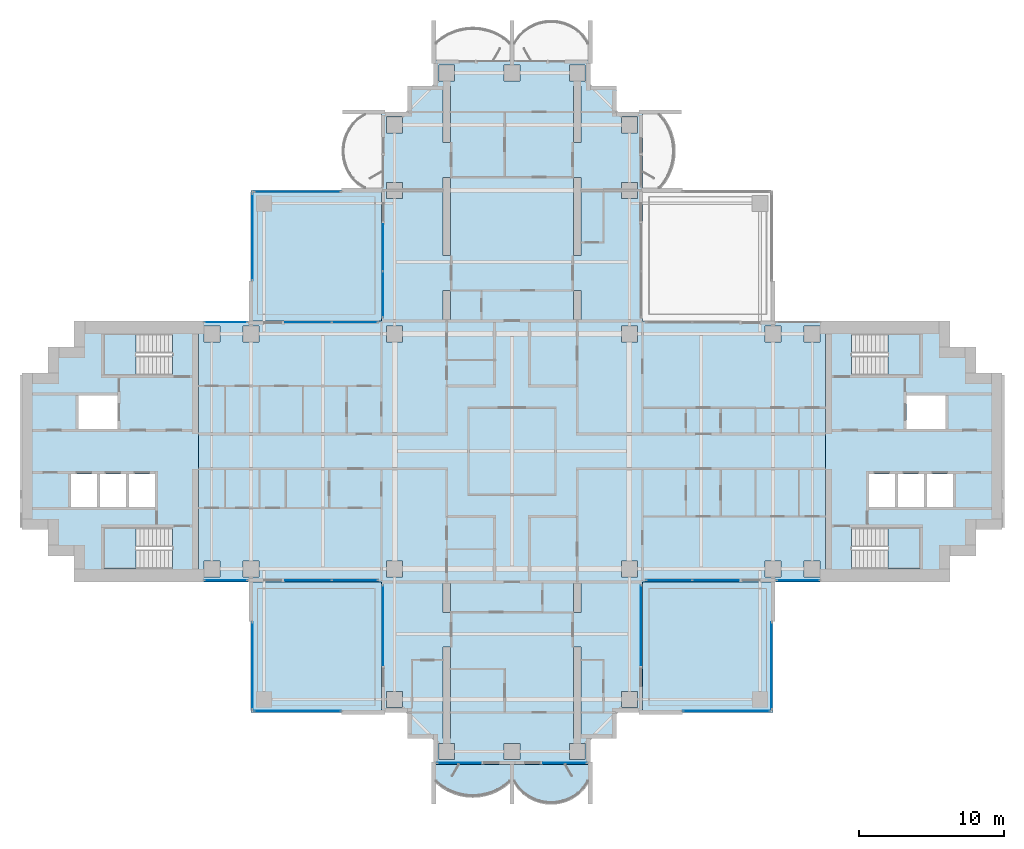
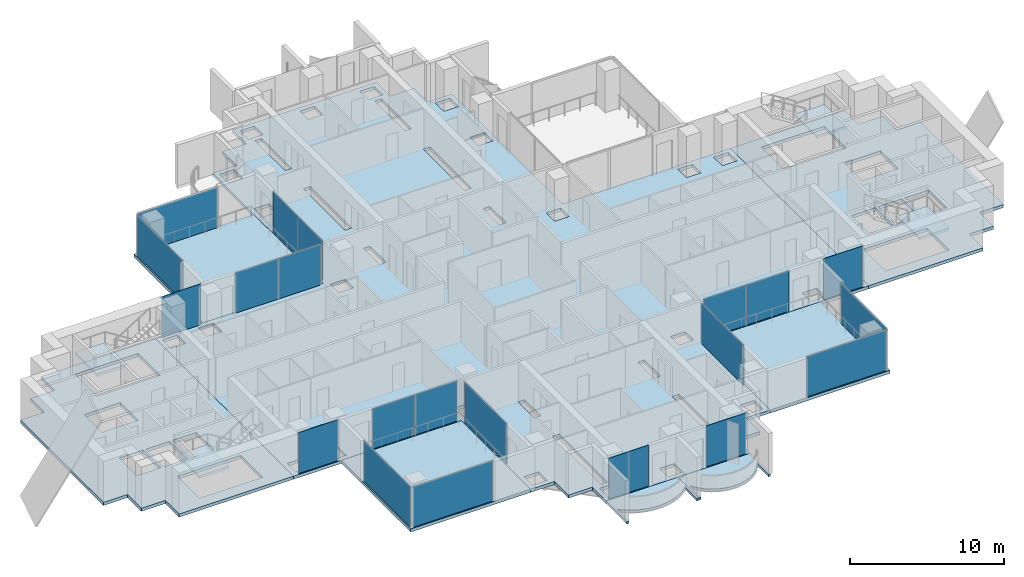
# One storey, part 7 of 18: 21 plates, 12 slabs, 21 elements without a shape of their own.
"""IFC4 building model written with IfcOpenShell, lengths in metres."""

from ifc_helpers import new_model, si_unit, direction, frame, origin, origin_2d, place, context, subcontext, project, spatial, polyline, rectangle, outline, extrude, material, layer, layer_set, type_object, element, aggregate, save


model = new_model("IFC4")

# Units and contexts
model_context = context("Model", 3, precision=1e-05, world=origin(), true_north=direction((0.0, 1.0)))
body_context = subcontext(model_context, "Body", "Model", "MODEL_VIEW")
ifc_project = project(units=[si_unit("LENGTHUNIT", "METRE"), si_unit("AREAUNIT", "SQUARE_METRE"), si_unit("VOLUMEUNIT", "CUBIC_METRE"), si_unit("PLANEANGLEUNIT", "RADIAN"), si_unit("MASSUNIT", "GRAM", prefix="KILO")], contexts=[model_context])

# Site, building, storey
site_placement = place(None, origin())
site = spatial("IfcSite", under=ifc_project, at=site_placement, CompositionType="ELEMENT")
building_placement = place(site_placement, origin())
building = spatial("IfcBuilding", under=site, at=building_placement, Name="Perihelion Cross Residences", CompositionType="ELEMENT")
storey_placement = place(building_placement, frame((0.0, 0.0, 133.89990234375)))
storey = spatial("IfcBuildingStorey", under=building, at=storey_placement, Name="L32", CompositionType="ELEMENT", Elevation=133.89990234375)

# Slabs
ifc_material_1 = material(Name="Concrete C40/50", Category="concrete")
ifc_layer_1 = layer(ifc_material_1, 0.199951171875)
ifc_layer_set_1 = layer_set([ifc_layer_1], Name="Balcony slab 200")
slab_type_1 = type_object("IfcSlabType", Name="Balcony slab 200", PredefinedType="FLOOR", material=ifc_layer_set_1)
slab_1_placement = place(storey_placement, frame((0.0, 0.0, -0.199951171875)))
element("IfcSlab", 1, at=slab_1_placement, inside=storey, type_object=slab_type_1, Name="Slab BK1 L32 south tip south bay 1 balcony", PredefinedType="FLOOR", context=body_context, shape_type="SweptSolid", body=[
    extrude(outline(polyline([(-5.39990234375, -21.60009765625), (0.0, -21.60009765625), (0.0, -24.300048828125), (-0.14990234375, -24.300048828125), (-0.14990234375, -22.800048828125), (-0.574951171875, -23.14013671875), (-1.0, -23.392578125), (-1.425048828125, -23.57666015625), (-1.85009765625, -23.702392578125), (-2.27490234375, -23.77587890625), (-2.699951171875, -23.800048828125), (-3.125, -23.77587890625), (-3.550048828125, -23.702392578125), (-3.97509765625, -23.57666015625), (-4.39990234375, -23.392578125), (-4.824951171875, -23.14013671875), (-5.25, -22.800048828125), (-5.25, -24.300048828125), (-5.39990234375, -24.300048828125), (-5.39990234375, -21.60009765625)])), origin(), (0.0, 0.0, 1.0), 0.199951171875),
])
slab_2_placement = place(storey_placement, frame((0.0, 0.0, -0.199951171875)))
element("IfcSlab", 2, at=slab_2_placement, inside=storey, type_object=slab_type_1, Name="Slab BK1 L32 south tip south bay 2 balcony", PredefinedType="FLOOR", context=body_context, shape_type="SweptSolid", body=[
    extrude(outline(polyline([(0.0, -21.60009765625), (5.39990234375, -21.60009765625), (5.39990234375, -24.300048828125), (5.25, -24.300048828125), (5.25, -22.800048828125), (4.909912109375, -23.27685546875), (4.570068359375, -23.60693359375), (4.22998046875, -23.84912109375), (3.889892578125, -24.027099609375), (3.550048828125, -24.1533203125), (3.2099609375, -24.234375), (2.8701171875, -24.274169921875), (2.530029296875, -24.274169921875), (2.18994140625, -24.234375), (1.85009765625, -24.1533203125), (1.510009765625, -24.027099609375), (1.169921875, -23.84912109375), (0.830078125, -23.60693359375), (0.489990234375, -23.27685546875), (0.14990234375, -22.800048828125), (0.14990234375, -24.300048828125), (0.0, -24.300048828125), (0.0, -21.60009765625)])), origin(), (0.0, 0.0, 1.0), 0.199951171875),
])

# Curtain wall, plates
ifc_material_2 = material(Name="Bronze anodised aluminium, tinted glazing", Category="aluminium")
curtain_wall_type_1 = type_object("IfcCurtainWallType", Name="CW1", PredefinedType="NOTDEFINED", material=ifc_material_2)
curtain_wall_1_placement = place(storey_placement, origin())
curtain_wall_1 = element("IfcCurtainWall", 3, at=curtain_wall_1_placement, inside=storey, type_object=curtain_wall_type_1, Name="Curtain wall CW1 L32 north side west bay 2", PredefinedType="NOTDEFINED")
ifc_material_3 = material(Name="Tinted laminated glass", Category="glass")
ifc_layer_2 = layer(ifc_material_3, 0.028076171875)
ifc_layer_set_2 = layer_set([ifc_layer_2], Name="CW1 panel")
plate_type_1 = type_object("IfcPlateType", Name="CW1 panel", PredefinedType="CURTAIN_PANEL", material=ifc_layer_set_2)
plate_1_placement = place(storey_placement, frame((-8.89990234375, 14.052490234375, 0.000244140625), z_axis=(0.0, 0.0, 1.0), x_axis=(0.0, -1.0, 0.0)))
plate_1 = element("IfcPlate", 4, at=plate_1_placement, type_object=plate_type_1, Name="CW1 panel 1", PredefinedType="CURTAIN_PANEL", context=body_context, shape_type="SweptSolid", body=[
    extrude(rectangle(XDim=3.195068359375, YDim=0.028076171875, at=origin_2d()), origin(), (0.0, 0.0, 1.0), 3.18994140625),
])
plate_2_placement = place(storey_placement, frame((-8.89990234375, 10.827392578125, 0.000244140625), z_axis=(0.0, 0.0, 1.0), x_axis=(0.0, -1.0, 0.0)))
plate_2 = element("IfcPlate", 5, at=plate_2_placement, type_object=plate_type_1, Name="CW1 panel 2", PredefinedType="CURTAIN_PANEL", context=body_context, shape_type="SweptSolid", body=[
    extrude(rectangle(XDim=3.135009765625, YDim=0.028076171875, at=origin_2d()), origin(), (0.0, 0.0, 1.0), 3.18994140625),
])
aggregate(curtain_wall_1, [plate_1, plate_2])

curtain_wall_2_placement = place(storey_placement, origin())
curtain_wall_2 = element("IfcCurtainWall", 6, at=curtain_wall_2_placement, inside=storey, type_object=curtain_wall_type_1, Name="Curtain wall CW1 L32 west side north bay 1", PredefinedType="NOTDEFINED")
plate_3_placement = place(storey_placement, frame((-10.827392578125, 8.89990234375, 0.000244140625), z_axis=(0.0, 0.0, 1.0), x_axis=(-1.0, 0.0, 0.0)))
plate_3 = element("IfcPlate", 7, at=plate_3_placement, type_object=plate_type_1, Name="CW1 panel 1", PredefinedType="CURTAIN_PANEL", context=body_context, shape_type="SweptSolid", body=[
    extrude(rectangle(XDim=3.135009765625, YDim=0.028076171875, at=origin_2d()), origin(), (0.0, 0.0, 1.0), 3.18994140625),
])
plate_4_placement = place(storey_placement, frame((-14.052490234375, 8.89990234375, 0.000244140625), z_axis=(0.0, 0.0, 1.0), x_axis=(-1.0, 0.0, 0.0)))
plate_4 = element("IfcPlate", 8, at=plate_4_placement, type_object=plate_type_1, Name="CW1 panel 2", PredefinedType="CURTAIN_PANEL", context=body_context, shape_type="SweptSolid", body=[
    extrude(rectangle(XDim=3.195068359375, YDim=0.028076171875, at=origin_2d()), origin(), (0.0, 0.0, 1.0), 3.18994140625),
])
aggregate(curtain_wall_2, [plate_3, plate_4])

# Curtain wall, plate
curtain_wall_3_placement = place(storey_placement, origin())
curtain_wall_3 = element("IfcCurtainWall", 9, at=curtain_wall_3_placement, inside=storey, type_object=curtain_wall_type_1, Name="Curtain wall CW1 L32 west side north bay 2", PredefinedType="NOTDEFINED")
plate_5_placement = place(storey_placement, frame((-19.72509765625, 8.89990234375, 0.0), z_axis=(0.0, 0.0, 1.0), x_axis=(-1.0, 0.0, 0.0)))
plate_5 = element("IfcPlate", 10, at=plate_5_placement, type_object=plate_type_1, Name="CW1 panel 1", PredefinedType="CURTAIN_PANEL", context=body_context, shape_type="SweptSolid", body=[
    extrude(rectangle(XDim=2.929931640625, YDim=0.028076171875, at=origin_2d()), origin(), (0.0, 0.0, 1.0), 3.25),
])
aggregate(curtain_wall_3, [plate_5])

curtain_wall_4_placement = place(storey_placement, origin())
curtain_wall_4 = element("IfcCurtainWall", 11, at=curtain_wall_4_placement, inside=storey, type_object=curtain_wall_type_1, Name="Curtain wall CW1 L32 west side south bay 1", PredefinedType="NOTDEFINED")
plate_6_placement = place(storey_placement, frame((-19.72509765625, -8.89990234375, 0.0), z_axis=(0.0, 0.0, 1.0), x_axis=(1.0, 0.0, 0.0)))
plate_6 = element("IfcPlate", 12, at=plate_6_placement, type_object=plate_type_1, Name="CW1 panel 1", PredefinedType="CURTAIN_PANEL", context=body_context, shape_type="SweptSolid", body=[
    extrude(rectangle(XDim=2.929931640625, YDim=0.028076171875, at=origin_2d()), origin(), (0.0, 0.0, 1.0), 3.25),
])
aggregate(curtain_wall_4, [plate_6])

# Curtain wall, plates
curtain_wall_5_placement = place(storey_placement, origin())
curtain_wall_5 = element("IfcCurtainWall", 13, at=curtain_wall_5_placement, inside=storey, type_object=curtain_wall_type_1, Name="Curtain wall CW1 L32 west side south bay 2", PredefinedType="NOTDEFINED")
plate_7_placement = place(storey_placement, frame((-14.052490234375, -8.89990234375, 0.000244140625), z_axis=(0.0, 0.0, 1.0), x_axis=(1.0, 0.0, 0.0)))
plate_7 = element("IfcPlate", 14, at=plate_7_placement, type_object=plate_type_1, Name="CW1 panel 1", PredefinedType="CURTAIN_PANEL", context=body_context, shape_type="SweptSolid", body=[
    extrude(rectangle(XDim=3.195068359375, YDim=0.028076171875, at=origin_2d()), origin(), (0.0, 0.0, 1.0), 3.18994140625),
])
plate_8_placement = place(storey_placement, frame((-10.827392578125, -8.89990234375, 0.000244140625), z_axis=(0.0, 0.0, 1.0), x_axis=(1.0, 0.0, 0.0)))
plate_8 = element("IfcPlate", 15, at=plate_8_placement, type_object=plate_type_1, Name="CW1 panel 2", PredefinedType="CURTAIN_PANEL", context=body_context, shape_type="SweptSolid", body=[
    extrude(rectangle(XDim=3.135009765625, YDim=0.028076171875, at=origin_2d()), origin(), (0.0, 0.0, 1.0), 3.18994140625),
])
aggregate(curtain_wall_5, [plate_7, plate_8])

# Curtain wall, plate
curtain_wall_6_placement = place(storey_placement, origin())
curtain_wall_6 = element("IfcCurtainWall", 16, at=curtain_wall_6_placement, inside=storey, type_object=curtain_wall_type_1, Name="Curtain wall CW1 L32 south side west bay 1", PredefinedType="NOTDEFINED")
plate_9_placement = place(storey_placement, frame((-8.89990234375, -12.0048828125, 0.000244140625), z_axis=(0.0, 0.0, 1.0), x_axis=(0.0, -1.0, 0.0)))
plate_9 = element("IfcPlate", 17, at=plate_9_placement, type_object=plate_type_1, Name="CW1 panel 1", PredefinedType="CURTAIN_PANEL", context=body_context, shape_type="SweptSolid", body=[
    extrude(rectangle(XDim=5.489990234375, YDim=0.028076171875, at=origin_2d()), origin(), (0.0, 0.0, 1.0), 3.18994140625),
])
aggregate(curtain_wall_6, [plate_9])

curtain_wall_7_placement = place(storey_placement, origin())
curtain_wall_7 = element("IfcCurtainWall", 18, at=curtain_wall_7_placement, inside=storey, type_object=curtain_wall_type_1, Name="Curtain wall CW1 L32 south tip south bay 1", PredefinedType="NOTDEFINED")
plate_10_placement = place(storey_placement, frame((-3.64501953125, -21.5, 0.0), z_axis=(0.0, 0.0, 1.0), x_axis=(1.0, 0.0, 0.0)))
plate_10 = element("IfcPlate", 19, at=plate_10_placement, type_object=plate_type_1, Name="CW1 panel 1", PredefinedType="CURTAIN_PANEL", context=body_context, shape_type="SweptSolid", body=[
    extrude(rectangle(XDim=2.989990234375, YDim=0.028076171875, at=origin_2d()), origin(), (0.0, 0.0, 1.0), 3.25),
])
aggregate(curtain_wall_7, [plate_10])

curtain_wall_8_placement = place(storey_placement, origin())
curtain_wall_8 = element("IfcCurtainWall", 20, at=curtain_wall_8_placement, inside=storey, type_object=curtain_wall_type_1, Name="Curtain wall CW1 L32 south tip south bay 2", PredefinedType="NOTDEFINED")
plate_11_placement = place(storey_placement, frame((3.64501953125, -21.5, 0.0), z_axis=(0.0, 0.0, 1.0), x_axis=(1.0, 0.0, 0.0)))
plate_11 = element("IfcPlate", 21, at=plate_11_placement, type_object=plate_type_1, Name="CW1 panel 1", PredefinedType="CURTAIN_PANEL", context=body_context, shape_type="SweptSolid", body=[
    extrude(rectangle(XDim=2.989990234375, YDim=0.028076171875, at=origin_2d()), origin(), (0.0, 0.0, 1.0), 3.25),
])
aggregate(curtain_wall_8, [plate_11])

curtain_wall_9_placement = place(storey_placement, origin())
curtain_wall_9 = element("IfcCurtainWall", 22, at=curtain_wall_9_placement, inside=storey, type_object=curtain_wall_type_1, Name="Curtain wall CW1 L32 south side east bay 1", PredefinedType="NOTDEFINED")
plate_12_placement = place(storey_placement, frame((8.89990234375, -12.0048828125, 0.000244140625), z_axis=(0.0, 0.0, 1.0), x_axis=(0.0, 1.0, 0.0)))
plate_12 = element("IfcPlate", 23, at=plate_12_placement, type_object=plate_type_1, Name="CW1 panel 1", PredefinedType="CURTAIN_PANEL", context=body_context, shape_type="SweptSolid", body=[
    extrude(rectangle(XDim=5.489990234375, YDim=0.028076171875, at=origin_2d()), origin(), (0.0, 0.0, 1.0), 3.18994140625),
])
aggregate(curtain_wall_9, [plate_12])

# Curtain wall, plates
curtain_wall_10_placement = place(storey_placement, origin())
curtain_wall_10 = element("IfcCurtainWall", 24, at=curtain_wall_10_placement, inside=storey, type_object=curtain_wall_type_1, Name="Curtain wall CW1 L32 east side south bay 1", PredefinedType="NOTDEFINED")
plate_13_placement = place(storey_placement, frame((10.827392578125, -8.89990234375, 0.000244140625), z_axis=(0.0, 0.0, 1.0), x_axis=(1.0, 0.0, 0.0)))
plate_13 = element("IfcPlate", 25, at=plate_13_placement, type_object=plate_type_1, Name="CW1 panel 1", PredefinedType="CURTAIN_PANEL", context=body_context, shape_type="SweptSolid", body=[
    extrude(rectangle(XDim=3.135009765625, YDim=0.028076171875, at=origin_2d()), origin(), (0.0, 0.0, 1.0), 3.18994140625),
])
plate_14_placement = place(storey_placement, frame((14.052490234375, -8.89990234375, 0.000244140625), z_axis=(0.0, 0.0, 1.0), x_axis=(1.0, 0.0, 0.0)))
plate_14 = element("IfcPlate", 26, at=plate_14_placement, type_object=plate_type_1, Name="CW1 panel 2", PredefinedType="CURTAIN_PANEL", context=body_context, shape_type="SweptSolid", body=[
    extrude(rectangle(XDim=3.195068359375, YDim=0.028076171875, at=origin_2d()), origin(), (0.0, 0.0, 1.0), 3.18994140625),
])
aggregate(curtain_wall_10, [plate_13, plate_14])

# Curtain wall, plate
curtain_wall_11_placement = place(storey_placement, origin())
curtain_wall_11 = element("IfcCurtainWall", 27, at=curtain_wall_11_placement, inside=storey, type_object=curtain_wall_type_1, Name="Curtain wall CW1 L32 east side south bay 2", PredefinedType="NOTDEFINED")
plate_15_placement = place(storey_placement, frame((19.72509765625, -8.89990234375, 0.0), z_axis=(0.0, 0.0, 1.0), x_axis=(1.0, 0.0, 0.0)))
plate_15 = element("IfcPlate", 28, at=plate_15_placement, type_object=plate_type_1, Name="CW1 panel 1", PredefinedType="CURTAIN_PANEL", context=body_context, shape_type="SweptSolid", body=[
    extrude(rectangle(XDim=2.929931640625, YDim=0.028076171875, at=origin_2d()), origin(), (0.0, 0.0, 1.0), 3.25),
])
aggregate(curtain_wall_11, [plate_15])

ifc_material_4 = material(Name="Bronze anodised aluminium, tinted glazing", Category="aluminium")
curtain_wall_type_2 = type_object("IfcCurtainWallType", Name="CW4", PredefinedType="NOTDEFINED", material=ifc_material_4)
curtain_wall_12_placement = place(storey_placement, origin())
curtain_wall_12 = element("IfcCurtainWall", 29, at=curtain_wall_12_placement, inside=storey, type_object=curtain_wall_type_2, Name="Curtain wall CW4 L32 pocket north-west 1 1", PredefinedType="NOTDEFINED")
ifc_material_5 = material(Name="Tinted laminated glass", Category="glass")
ifc_layer_3 = layer(ifc_material_5, 0.030029296875)
ifc_layer_set_3 = layer_set([ifc_layer_3], Name="CW4 panel")
plate_type_2 = type_object("IfcPlateType", Name="CW4 panel", PredefinedType="CURTAIN_PANEL", material=ifc_layer_set_3)
plate_16_placement = place(storey_placement, frame((-17.89990234375, 14.784912109375, 0.000244140625), z_axis=(0.0, 0.0, 1.0), x_axis=(0.0, 1.0, 0.0)))
plate_16 = element("IfcPlate", 30, at=plate_16_placement, type_object=plate_type_2, Name="CW4 panel 1", PredefinedType="CURTAIN_PANEL", context=body_context, shape_type="SweptSolid", body=[
    extrude(rectangle(XDim=5.969970703125, YDim=0.030029296875, at=origin_2d()), origin(), (0.0, 0.0, 1.0), 3.18994140625),
])
aggregate(curtain_wall_12, [plate_16])

curtain_wall_13_placement = place(storey_placement, origin())
curtain_wall_13 = element("IfcCurtainWall", 31, at=curtain_wall_13_placement, inside=storey, type_object=curtain_wall_type_2, Name="Curtain wall CW4 L32 pocket north-west 1 2", PredefinedType="NOTDEFINED")
plate_17_placement = place(storey_placement, frame((-14.784912109375, 17.89990234375, 0.000244140625), z_axis=(0.0, 0.0, 1.0), x_axis=(1.0, 0.0, 0.0)))
plate_17 = element("IfcPlate", 32, at=plate_17_placement, type_object=plate_type_2, Name="CW4 panel 1", PredefinedType="CURTAIN_PANEL", context=body_context, shape_type="SweptSolid", body=[
    extrude(rectangle(XDim=5.969970703125, YDim=0.030029296875, at=origin_2d()), origin(), (0.0, 0.0, 1.0), 3.18994140625),
])
aggregate(curtain_wall_13, [plate_17])

curtain_wall_14_placement = place(storey_placement, origin())
curtain_wall_14 = element("IfcCurtainWall", 33, at=curtain_wall_14_placement, inside=storey, type_object=curtain_wall_type_2, Name="Curtain wall CW4 L32 pocket south-east 1 1", PredefinedType="NOTDEFINED")
plate_18_placement = place(storey_placement, frame((17.89990234375, -14.784912109375, 0.000244140625), z_axis=(0.0, 0.0, 1.0), x_axis=(0.0, -1.0, 0.0)))
plate_18 = element("IfcPlate", 34, at=plate_18_placement, type_object=plate_type_2, Name="CW4 panel 1", PredefinedType="CURTAIN_PANEL", context=body_context, shape_type="SweptSolid", body=[
    extrude(rectangle(XDim=5.969970703125, YDim=0.030029296875, at=origin_2d()), origin(), (0.0, 0.0, 1.0), 3.18994140625),
])
aggregate(curtain_wall_14, [plate_18])

curtain_wall_15_placement = place(storey_placement, origin())
curtain_wall_15 = element("IfcCurtainWall", 35, at=curtain_wall_15_placement, inside=storey, type_object=curtain_wall_type_2, Name="Curtain wall CW4 L32 pocket south-east 1 2", PredefinedType="NOTDEFINED")
plate_19_placement = place(storey_placement, frame((14.784912109375, -17.89990234375, 0.000244140625), z_axis=(0.0, 0.0, 1.0), x_axis=(-1.0, 0.0, 0.0)))
plate_19 = element("IfcPlate", 36, at=plate_19_placement, type_object=plate_type_2, Name="CW4 panel 1", PredefinedType="CURTAIN_PANEL", context=body_context, shape_type="SweptSolid", body=[
    extrude(rectangle(XDim=5.969970703125, YDim=0.030029296875, at=origin_2d()), origin(), (0.0, 0.0, 1.0), 3.18994140625),
])
aggregate(curtain_wall_15, [plate_19])

curtain_wall_16_placement = place(storey_placement, origin())
curtain_wall_16 = element("IfcCurtainWall", 37, at=curtain_wall_16_placement, inside=storey, type_object=curtain_wall_type_2, Name="Curtain wall CW4 L32 pocket south-west 1 1", PredefinedType="NOTDEFINED")
plate_20_placement = place(storey_placement, frame((-14.784912109375, -17.89990234375, 0.000244140625), z_axis=(0.0, 0.0, 1.0), x_axis=(-1.0, 0.0, 0.0)))
plate_20 = element("IfcPlate", 38, at=plate_20_placement, type_object=plate_type_2, Name="CW4 panel 1", PredefinedType="CURTAIN_PANEL", context=body_context, shape_type="SweptSolid", body=[
    extrude(rectangle(XDim=5.969970703125, YDim=0.030029296875, at=origin_2d()), origin(), (0.0, 0.0, 1.0), 3.18994140625),
])
aggregate(curtain_wall_16, [plate_20])

curtain_wall_17_placement = place(storey_placement, origin())
curtain_wall_17 = element("IfcCurtainWall", 39, at=curtain_wall_17_placement, inside=storey, type_object=curtain_wall_type_2, Name="Curtain wall CW4 L32 pocket south-west 1 2", PredefinedType="NOTDEFINED")
plate_21_placement = place(storey_placement, frame((-17.89990234375, -14.784912109375, 0.000244140625), z_axis=(0.0, 0.0, 1.0), x_axis=(0.0, 1.0, 0.0)))
plate_21 = element("IfcPlate", 40, at=plate_21_placement, type_object=plate_type_2, Name="CW4 panel 1", PredefinedType="CURTAIN_PANEL", context=body_context, shape_type="SweptSolid", body=[
    extrude(rectangle(XDim=5.969970703125, YDim=0.030029296875, at=origin_2d()), origin(), (0.0, 0.0, 1.0), 3.18994140625),
])
aggregate(curtain_wall_17, [plate_21])

# Slabs
ifc_material_6 = material(Name="Concrete C40/50", Category="concrete")
ifc_layer_4 = layer(ifc_material_6, 0.25)
ifc_layer_set_4 = layer_set([ifc_layer_4], Name="Core floor slab 250")
slab_type_2 = type_object("IfcSlabType", Name="Core floor slab 250", PredefinedType="FLOOR", material=ifc_layer_set_4)
slab_3_placement = place(storey_placement, frame((0.0, 0.0, -0.25)))
element("IfcSlab", 41, at=slab_3_placement, inside=storey, type_object=slab_type_2, Name="East core floor slab", PredefinedType="FLOOR", context=body_context, shape_type="SweptSolid", body=[
    extrude(outline(polyline([(30.199951171875, 7.199951171875), (32.0, 7.199951171875), (32.0, 5.39990234375), (33.800048828125, 5.39990234375), (33.800048828125, -5.39990234375), (32.0, -5.39990234375), (32.0, -7.199951171875), (30.199951171875, -7.199951171875), (30.199951171875, -9.0), (21.60009765625, -9.0), (21.60009765625, 9.0), (30.199951171875, 9.0), (30.199951171875, 7.199951171875)]), holes=[polyline([(28.14990234375, -8.10009765625), (28.14990234375, -5.25), (23.405029296875, -5.25), (23.405029296875, -8.10009765625), (28.14990234375, -8.10009765625)]), polyline([(24.60009765625, -1.550048828125), (24.60009765625, -3.85009765625), (26.39990234375, -3.85009765625), (26.39990234375, -1.550048828125), (24.60009765625, -1.550048828125)]), polyline([(26.60009765625, -1.550048828125), (26.60009765625, -3.85009765625), (28.39990234375, -3.85009765625), (28.39990234375, -1.550048828125), (26.60009765625, -1.550048828125)]), polyline([(28.60009765625, -3.85009765625), (30.39990234375, -3.85009765625), (30.39990234375, -1.550048828125), (28.60009765625, -1.550048828125), (28.60009765625, -3.85009765625)]), polyline([(27.199951171875, 3.85009765625), (27.199951171875, 1.550048828125), (29.89990234375, 1.550048828125), (29.89990234375, 3.85009765625), (27.199951171875, 3.85009765625)]), polyline([(23.405029296875, 5.25), (28.14990234375, 5.25), (28.14990234375, 8.10009765625), (23.405029296875, 8.10009765625), (23.405029296875, 5.25)])]), origin(), (0.0, 0.0, 1.0), 0.25),
])
slab_4_placement = place(storey_placement, frame((0.0, 0.0, -0.25)))
element("IfcSlab", 42, at=slab_4_placement, inside=storey, type_object=slab_type_2, Name="West core floor slab", PredefinedType="FLOOR", context=body_context, shape_type="SweptSolid", body=[
    extrude(outline(polyline([(-30.199951171875, 7.199951171875), (-32.0, 7.199951171875), (-32.0, 5.39990234375), (-33.800048828125, 5.39990234375), (-33.800048828125, -5.39990234375), (-32.0, -5.39990234375), (-32.0, -7.199951171875), (-30.199951171875, -7.199951171875), (-30.199951171875, -9.0), (-21.60009765625, -9.0), (-21.60009765625, 9.0), (-30.199951171875, 9.0), (-30.199951171875, 7.199951171875)]), holes=[polyline([(-28.14990234375, -8.10009765625), (-28.14990234375, -5.25), (-23.405029296875, -5.25), (-23.405029296875, -8.10009765625), (-28.14990234375, -8.10009765625)]), polyline([(-24.60009765625, -1.550048828125), (-24.60009765625, -3.85009765625), (-26.39990234375, -3.85009765625), (-26.39990234375, -1.550048828125), (-24.60009765625, -1.550048828125)]), polyline([(-26.60009765625, -1.550048828125), (-26.60009765625, -3.85009765625), (-28.39990234375, -3.85009765625), (-28.39990234375, -1.550048828125), (-26.60009765625, -1.550048828125)]), polyline([(-28.60009765625, -3.85009765625), (-30.39990234375, -3.85009765625), (-30.39990234375, -1.550048828125), (-28.60009765625, -1.550048828125), (-28.60009765625, -3.85009765625)]), polyline([(-27.199951171875, 3.85009765625), (-27.199951171875, 1.550048828125), (-29.89990234375, 1.550048828125), (-29.89990234375, 3.85009765625), (-27.199951171875, 3.85009765625)]), polyline([(-23.405029296875, 5.25), (-28.14990234375, 5.25), (-28.14990234375, 8.10009765625), (-23.405029296875, 8.10009765625), (-23.405029296875, 5.25)])]), origin(), (0.0, 0.0, 1.0), 0.25),
])

# Stair, slab
ifc_material_7 = material(Name="Concrete C40/50", Category="concrete")
stair_type = type_object("IfcStairType", Name="Exit stair, half-turn", PredefinedType="HALF_TURN_STAIR", material=ifc_material_7)
stair_1_placement = place(storey_placement, origin())
stair_1 = element("IfcStair", 43, at=stair_1_placement, inside=storey, type_object=stair_type, Name="L32 East core exit stair 1", PredefinedType="HALF_TURN_STAIR")
ifc_material_8 = material(Name="Concrete C40/50", Category="concrete")
ifc_layer_5 = layer(ifc_material_8, 0.199951171875)
ifc_layer_set_5 = layer_set([ifc_layer_5], Name="Exit stair landing 200")
slab_type_3 = type_object("IfcSlabType", Name="Exit stair landing 200", PredefinedType="LANDING", material=ifc_layer_set_5)
slab_5_placement = place(storey_placement, frame((0.0, 0.0, 1.550048828125)))
slab_5 = element("IfcSlab", 44, at=slab_5_placement, type_object=slab_type_3, Name="ST-E1 landing 1", PredefinedType="LANDING", context=body_context, shape_type="SweptSolid", body=[
    extrude(outline(polyline([(25.919921875, 5.25), (28.14990234375, 5.25), (28.14990234375, 8.10009765625), (25.919921875, 8.10009765625), (25.919921875, 5.25)])), origin(), (0.0, 0.0, 1.0), 0.199951171875),
])
aggregate(stair_1, [slab_5])

stair_2_placement = place(storey_placement, origin())
stair_2 = element("IfcStair", 45, at=stair_2_placement, inside=storey, type_object=stair_type, Name="L32 East core exit stair 2", PredefinedType="HALF_TURN_STAIR")
slab_6_placement = place(storey_placement, frame((0.0, 0.0, 1.550048828125)))
slab_6 = element("IfcSlab", 46, at=slab_6_placement, type_object=slab_type_3, Name="ST-E2 landing 1", PredefinedType="LANDING", context=body_context, shape_type="SweptSolid", body=[
    extrude(outline(polyline([(25.919921875, -8.10009765625), (28.14990234375, -8.10009765625), (28.14990234375, -5.25), (25.919921875, -5.25), (25.919921875, -8.10009765625)])), origin(), (0.0, 0.0, 1.0), 0.199951171875),
])
aggregate(stair_2, [slab_6])

stair_3_placement = place(storey_placement, origin())
stair_3 = element("IfcStair", 47, at=stair_3_placement, inside=storey, type_object=stair_type, Name="L32 West core exit stair 1", PredefinedType="HALF_TURN_STAIR")
slab_7_placement = place(storey_placement, frame((0.0, 0.0, 1.550048828125)))
slab_7 = element("IfcSlab", 48, at=slab_7_placement, type_object=slab_type_3, Name="ST-W1 landing 1", PredefinedType="LANDING", context=body_context, shape_type="SweptSolid", body=[
    extrude(outline(polyline([(-25.919921875, 8.10009765625), (-28.14990234375, 8.10009765625), (-28.14990234375, 5.25), (-25.919921875, 5.25), (-25.919921875, 8.10009765625)])), origin(), (0.0, 0.0, 1.0), 0.199951171875),
])
aggregate(stair_3, [slab_7])

stair_4_placement = place(storey_placement, origin())
stair_4 = element("IfcStair", 49, at=stair_4_placement, inside=storey, type_object=stair_type, Name="L32 West core exit stair 2", PredefinedType="HALF_TURN_STAIR")
slab_8_placement = place(storey_placement, frame((0.0, 0.0, 1.550048828125)))
slab_8 = element("IfcSlab", 50, at=slab_8_placement, type_object=slab_type_3, Name="ST-W2 landing 1", PredefinedType="LANDING", context=body_context, shape_type="SweptSolid", body=[
    extrude(outline(polyline([(-25.919921875, -5.25), (-28.14990234375, -5.25), (-28.14990234375, -8.10009765625), (-25.919921875, -8.10009765625), (-25.919921875, -5.25)])), origin(), (0.0, 0.0, 1.0), 0.199951171875),
])
aggregate(stair_4, [slab_8])

# Slabs
ifc_material_9 = material(Name="Concrete C50/60", Category="concrete")
ifc_layer_6 = layer(ifc_material_9, 0.25)
ifc_layer_set_6 = layer_set([ifc_layer_6], Name="Residential floor post-tensioned slab concrete C50/60")
slab_type_4 = type_object("IfcSlabType", Name="Residential floor post-tensioned slab concrete C50/60", PredefinedType="FLOOR", material=ifc_layer_set_6)
slab_9_placement = place(storey_placement, frame((0.0, 0.0, -0.25)))
element("IfcSlab", 51, at=slab_9_placement, inside=storey, type_object=slab_type_4, Name="Slab SL8 L32 1 no. 1", PredefinedType="FLOOR", context=body_context, shape_type="SweptSolid", body=[
    extrude(outline(polyline([(-9.0, 9.0), (-9.0, 23.39990234375), (-7.199951171875, 23.39990234375), (-7.199951171875, 25.199951171875), (-5.39990234375, 25.199951171875), (-5.39990234375, 27.0), (5.39990234375, 27.0), (5.39990234375, 25.199951171875), (7.199951171875, 25.199951171875), (7.199951171875, 23.39990234375), (9.0, 23.39990234375), (9.0, 9.0), (21.60009765625, 9.0), (21.60009765625, -9.0), (9.0, -9.0), (9.0, -18.0), (7.199951171875, -18.0), (7.199951171875, -19.800048828125), (5.39990234375, -19.800048828125), (5.39990234375, -21.60009765625), (-5.39990234375, -21.60009765625), (-5.39990234375, -19.800048828125), (-7.199951171875, -19.800048828125), (-7.199951171875, -18.0), (-9.0, -18.0), (-9.0, -9.0), (-21.60009765625, -9.0), (-21.60009765625, 9.0), (-9.0, 9.0)]), holes=[polyline([(0.550048828125, -21.25), (0.550048828125, -20.14990234375), (-0.550048828125, -20.14990234375), (-0.550048828125, -21.25), (0.550048828125, -21.25)]), polyline([(-3.949951171875, -21.25), (-3.949951171875, -20.14990234375), (-5.050048828125, -20.14990234375), (-5.050048828125, -21.25), (-3.949951171875, -21.25)]), polyline([(-7.550048828125, -17.64990234375), (-7.550048828125, -16.550048828125), (-8.64990234375, -16.550048828125), (-8.64990234375, -17.64990234375), (-7.550048828125, -17.64990234375)]), polyline([(-4.25, -19.800048828125), (-4.25, -13.5), (-4.75, -13.5), (-4.75, -19.800048828125), (-4.25, -19.800048828125)]), polyline([(-4.25, -11.10009765625), (-4.25, -9.0), (-4.75, -9.0), (-4.75, -11.10009765625), (-4.25, -11.10009765625)]), polyline([(-20.14990234375, -8.64990234375), (-20.14990234375, -7.550048828125), (-21.25, -7.550048828125), (-21.25, -8.64990234375), (-20.14990234375, -8.64990234375)]), polyline([(-7.550048828125, -8.64990234375), (-7.550048828125, -7.550048828125), (-8.64990234375, -7.550048828125), (-8.64990234375, -8.64990234375), (-7.550048828125, -8.64990234375)]), polyline([(-18.550048828125, -8.64990234375), (-17.449951171875, -8.64990234375), (-17.449951171875, -7.550048828125), (-18.550048828125, -7.550048828125), (-18.550048828125, -8.64990234375)]), polyline([(-7.550048828125, 7.550048828125), (-7.550048828125, 8.64990234375), (-8.64990234375, 8.64990234375), (-8.64990234375, 7.550048828125), (-7.550048828125, 7.550048828125)]), polyline([(-17.449951171875, 7.550048828125), (-17.449951171875, 8.64990234375), (-18.550048828125, 8.64990234375), (-18.550048828125, 7.550048828125), (-17.449951171875, 7.550048828125)]), polyline([(-20.14990234375, 7.550048828125), (-20.14990234375, 8.64990234375), (-21.25, 8.64990234375), (-21.25, 7.550048828125), (-20.14990234375, 7.550048828125)]), polyline([(-4.25, 9.0), (-4.25, 11.10009765625), (-4.75, 11.10009765625), (-4.75, 9.0), (-4.25, 9.0)]), polyline([(-4.25, 13.5), (-4.25, 18.89990234375), (-4.75, 18.89990234375), (-4.75, 13.5), (-4.25, 13.5)]), polyline([(-7.550048828125, 17.449951171875), (-7.550048828125, 18.550048828125), (-8.64990234375, 18.550048828125), (-8.64990234375, 17.449951171875), (-7.550048828125, 17.449951171875)]), polyline([(-7.550048828125, 21.949951171875), (-7.550048828125, 23.050048828125), (-8.64990234375, 23.050048828125), (-8.64990234375, 21.949951171875), (-7.550048828125, 21.949951171875)]), polyline([(-4.75, 21.300048828125), (-4.25, 21.300048828125), (-4.25, 25.199951171875), (-4.75, 25.199951171875), (-4.75, 21.300048828125)]), polyline([(-5.050048828125, 25.550048828125), (-3.949951171875, 25.550048828125), (-3.949951171875, 26.64990234375), (-5.050048828125, 26.64990234375), (-5.050048828125, 25.550048828125)]), polyline([(5.050048828125, -21.25), (5.050048828125, -20.14990234375), (3.949951171875, -20.14990234375), (3.949951171875, -21.25), (5.050048828125, -21.25)]), polyline([(8.64990234375, -17.64990234375), (8.64990234375, -16.550048828125), (7.550048828125, -16.550048828125), (7.550048828125, -17.64990234375), (8.64990234375, -17.64990234375)]), polyline([(4.75, -19.800048828125), (4.75, -13.5), (4.25, -13.5), (4.25, -19.800048828125), (4.75, -19.800048828125)]), polyline([(4.75, -11.10009765625), (4.75, -9.0), (4.25, -9.0), (4.25, -11.10009765625), (4.75, -11.10009765625)]), polyline([(21.25, -8.64990234375), (21.25, -7.550048828125), (20.14990234375, -7.550048828125), (20.14990234375, -8.64990234375), (21.25, -8.64990234375)]), polyline([(18.550048828125, -8.64990234375), (18.550048828125, -7.550048828125), (17.449951171875, -7.550048828125), (17.449951171875, -8.64990234375), (18.550048828125, -8.64990234375)]), polyline([(8.64990234375, -8.64990234375), (8.64990234375, -7.550048828125), (7.550048828125, -7.550048828125), (7.550048828125, -8.64990234375), (8.64990234375, -8.64990234375)]), polyline([(7.550048828125, 7.550048828125), (8.64990234375, 7.550048828125), (8.64990234375, 8.64990234375), (7.550048828125, 8.64990234375), (7.550048828125, 7.550048828125)]), polyline([(18.550048828125, 7.550048828125), (18.550048828125, 8.64990234375), (17.449951171875, 8.64990234375), (17.449951171875, 7.550048828125), (18.550048828125, 7.550048828125)]), polyline([(21.25, 7.550048828125), (21.25, 8.64990234375), (20.14990234375, 8.64990234375), (20.14990234375, 7.550048828125), (21.25, 7.550048828125)]), polyline([(4.75, 9.0), (4.75, 11.10009765625), (4.25, 11.10009765625), (4.25, 9.0), (4.75, 9.0)]), polyline([(4.75, 13.5), (4.75, 18.89990234375), (4.25, 18.89990234375), (4.25, 13.5), (4.75, 13.5)]), polyline([(8.64990234375, 17.449951171875), (8.64990234375, 18.550048828125), (7.550048828125, 18.550048828125), (7.550048828125, 17.449951171875), (8.64990234375, 17.449951171875)]), polyline([(8.64990234375, 21.949951171875), (8.64990234375, 23.050048828125), (7.550048828125, 23.050048828125), (7.550048828125, 21.949951171875), (8.64990234375, 21.949951171875)]), polyline([(4.75, 21.300048828125), (4.75, 25.199951171875), (4.25, 25.199951171875), (4.25, 21.300048828125), (4.75, 21.300048828125)]), polyline([(3.949951171875, 25.550048828125), (5.050048828125, 25.550048828125), (5.050048828125, 26.64990234375), (3.949951171875, 26.64990234375), (3.949951171875, 25.550048828125)]), polyline([(-0.550048828125, 25.550048828125), (0.550048828125, 25.550048828125), (0.550048828125, 26.64990234375), (-0.550048828125, 26.64990234375), (-0.550048828125, 25.550048828125)])]), origin(), (0.0, 0.0, 1.0), 0.25),
])
ifc_material_10 = material(Name="Concrete C40/50", Category="concrete")
ifc_layer_7 = layer(ifc_material_10, 0.25)
ifc_layer_set_7 = layer_set([ifc_layer_7], Name="Winter garden slab")
slab_type_5 = type_object("IfcSlabType", Name="Winter garden slab", PredefinedType="FLOOR", material=ifc_layer_set_7)
slab_10_placement = place(storey_placement, frame((0.0, 0.0, -0.25)))
element("IfcSlab", 52, at=slab_10_placement, inside=storey, type_object=slab_type_5, Name="Slab BK3 L32 pocket north-west", PredefinedType="FLOOR", context=body_context, shape_type="SweptSolid", body=[
    extrude(outline(polyline([(-9.0, 9.0), (-9.0, 18.0), (-18.0, 18.0), (-18.0, 9.0), (-9.0, 9.0)])), origin(), (0.0, 0.0, 1.0), 0.25),
])
slab_11_placement = place(storey_placement, frame((0.0, 0.0, -0.25)))
element("IfcSlab", 53, at=slab_11_placement, inside=storey, type_object=slab_type_5, Name="Slab BK3 L32 pocket south-west", PredefinedType="FLOOR", context=body_context, shape_type="SweptSolid", body=[
    extrude(outline(polyline([(-9.0, -18.0), (-9.0, -9.0), (-18.0, -9.0), (-18.0, -18.0), (-9.0, -18.0)])), origin(), (0.0, 0.0, 1.0), 0.25),
])
slab_12_placement = place(storey_placement, frame((0.0, 0.0, -0.25)))
element("IfcSlab", 54, at=slab_12_placement, inside=storey, type_object=slab_type_5, Name="Slab BK3 L32 pocket south-east", PredefinedType="FLOOR", context=body_context, shape_type="SweptSolid", body=[
    extrude(outline(polyline([(18.0, -18.0), (18.0, -9.0), (9.0, -9.0), (9.0, -18.0), (18.0, -18.0)])), origin(), (0.0, 0.0, 1.0), 0.25),
])

save(model, "model.ifc")
